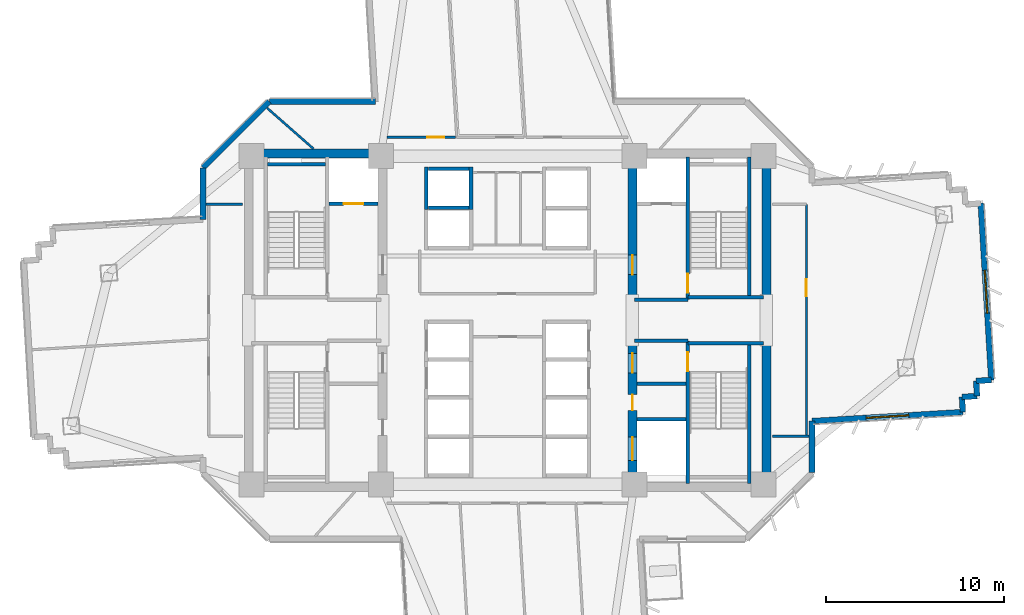
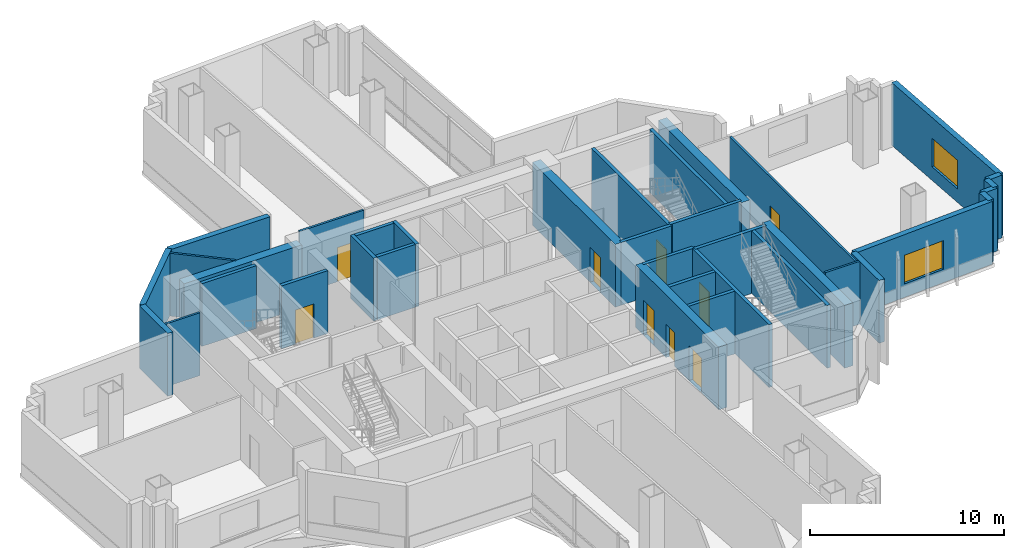
# One storey, part 8 of 15: 36 walls, 9 doors, 2 windows, 11 openings.
"""IFC4 building model written with IfcOpenShell, lengths in metres."""

import ifcopenshell
import ifcopenshell.guid

model = None  # the IFC model being written
_history = None  # IfcOwnerHistory: only IFC2X3 demands one
_inside = {}  # id of a spatial element -> (the spatial element, [elements in it])
_under = {}  # id of a project, library or spatial element -> (it, [spatial elements below it])
_declared = {}  # id of a project -> (the project, [libraries it declares])
_typed = {}  # id of a type object -> (the type object, [elements of that type])
_made_of = {}  # id of a material, layer set ... -> (it, [elements and type objects made of it])


def new_model(schema):
    """Start an empty IFC model of exactly this schema.

    Asked for "IFC4X3", IfcOpenShell would pick the latest addendum, in which some entities
    have other attributes; the version numbers below select the first issue.
    IFC2X3 requires an IfcOwnerHistory on every rooted entity: one is made here for all.
    """
    global model, _history
    if schema == "IFC4X3":
        model = ifcopenshell.file(schema_version=(4, 3, 0, 0))
    else:
        model = ifcopenshell.file(schema=schema)
    _inside.clear()
    _under.clear()
    _declared.clear()
    _typed.clear()
    _made_of.clear()
    _history = None
    if model.schema == "IFC2X3":
        org = make("IfcOrganization", Name="unknown")
        user = make(
            "IfcPersonAndOrganization",
            ThePerson=make("IfcPerson", FamilyName="unknown"),
            TheOrganization=org,
        )
        app = make(
            "IfcApplication",
            ApplicationDeveloper=org,
            Version="unknown",
            ApplicationFullName="unknown",
            ApplicationIdentifier="unknown",
        )
        _history = make(
            "IfcOwnerHistory",
            OwningUser=user,
            OwningApplication=app,
            ChangeAction="ADDED",
            CreationDate=0,
        )
    return model


def make(cls, **values):
    """One entity of the class cls with the attributes given. An attribute that is None is left unset."""
    return model.create_entity(
        cls, **{name: value for name, value in values.items() if value is not None}
    )


def rooted(cls, **values):
    """An entity with a GlobalId (a new one), such as an element, a storey or a relation."""
    return make(cls, GlobalId=ifcopenshell.guid.new(), OwnerHistory=_history, **values)


def si_unit(unit_type, name, prefix=None):
    """IfcSIUnit, for example si_unit("LENGTHUNIT", "METRE", prefix="MILLI")."""
    return make("IfcSIUnit", UnitType=unit_type, Prefix=prefix, Name=name)


def assignment(units):
    """IfcUnitAssignment: the units of a project."""
    return None if units is None else make("IfcUnitAssignment", Units=units)


def point(xyz):
    """IfcCartesianPoint."""
    return None if xyz is None else make("IfcCartesianPoint", Coordinates=xyz)


def direction(xyz):
    """IfcDirection."""
    return None if xyz is None else make("IfcDirection", DirectionRatios=xyz)


def frame(location, z_axis=None, x_axis=None):
    """IfcAxis2Placement3D, a coordinate frame: its origin and axes. An axis left out is left unset."""
    return make(
        "IfcAxis2Placement3D",
        Location=point(location),
        Axis=direction(z_axis),
        RefDirection=direction(x_axis),
    )


def frame_2d(location, x_axis=None):
    """IfcAxis2Placement2D, a coordinate frame in the plane: its origin and x axis."""
    return make(
        "IfcAxis2Placement2D", Location=point(location), RefDirection=direction(x_axis)
    )


def origin():
    """The frame at (0, 0, 0) with its axes left unset."""
    return frame((0.0, 0.0, 0.0))


def place(relative_to, where):
    """IfcLocalPlacement: puts the frame where relative to a parent placement (None: the world)."""
    return make(
        "IfcLocalPlacement", PlacementRelTo=relative_to, RelativePlacement=where
    )


def context(
    kind, dimensions, precision=None, world=None, true_north=None, identifier=None
):
    """IfcGeometricRepresentationContext, for example the 3D "Model" context."""
    return make(
        "IfcGeometricRepresentationContext",
        ContextIdentifier=identifier,
        ContextType=kind,
        CoordinateSpaceDimension=dimensions,
        Precision=precision,
        WorldCoordinateSystem=world,
        TrueNorth=true_north,
    )


def subcontext(parent, identifier, kind, view, scale=None):
    """IfcGeometricRepresentationSubContext, for example "Body" below "Model"."""
    return make(
        "IfcGeometricRepresentationSubContext",
        ContextIdentifier=identifier,
        ContextType=kind,
        ParentContext=parent,
        TargetScale=scale,
        TargetView=view,
    )


def project(units=None, contexts=None):
    """IfcProject with its units and contexts."""
    return rooted(
        "IfcProject",
        Name="project",
        RepresentationContexts=contexts,
        UnitsInContext=assignment(units),
    )


def spatial(cls, under=None, at=None, **own):
    """A site, building, storey or space (cls), placed at a placement, below another one or the project."""
    s = rooted(cls, ObjectPlacement=at, **own)
    if under is not None:
        _under.setdefault(under.id(), (under, []))[1].append(s)
    return s


def profile(cls, at=None, kind="AREA", **sizes):
    """A parametric profile (cls). Its sizes go by their IFC names, for example OverallWidth=200.0."""
    return make(cls, ProfileType=kind, Position=at, **sizes)


def rectangle(**sizes):
    """IfcRectangleProfileDef."""
    return profile("IfcRectangleProfileDef", **sizes)


def extrude(swept, where, along, depth):
    """IfcExtrudedAreaSolid: the profile swept, set in the frame where, extruded along a direction by depth."""
    return make(
        "IfcExtrudedAreaSolid",
        SweptArea=swept,
        Position=where,
        ExtrudedDirection=direction(along),
        Depth=depth,
    )


def shape(context_of_items, identifier, shape_type, items):
    """IfcShapeRepresentation: the items that make up one representation, for example the "Body"."""
    return make(
        "IfcShapeRepresentation",
        ContextOfItems=context_of_items,
        RepresentationIdentifier=identifier,
        RepresentationType=shape_type,
        Items=items,
    )


def source(mapping_origin, context_of_items, identifier, shape_type, items):
    """IfcRepresentationMap: a shape defined once, which mapped items show again and again."""
    return make(
        "IfcRepresentationMap",
        MappingOrigin=mapping_origin,
        MappedRepresentation=shape(context_of_items, identifier, shape_type, items),
    )


def transform(
    local_origin,
    x_axis=None,
    y_axis=None,
    z_axis=None,
    scale=None,
    scale2=None,
    scale3=None,
    uniform=True,
):
    """IfcCartesianTransformationOperator3D, or its non-uniform kind. x_axis, y_axis, z_axis: its Axis1, 2, 3."""
    if uniform:
        return make(
            "IfcCartesianTransformationOperator3D",
            Axis1=direction(x_axis),
            Axis2=direction(y_axis),
            LocalOrigin=point(local_origin),
            Scale=scale,
            Axis3=direction(z_axis),
        )
    return make(
        "IfcCartesianTransformationOperator3DnonUniform",
        Axis1=direction(x_axis),
        Axis2=direction(y_axis),
        LocalOrigin=point(local_origin),
        Scale=scale,
        Axis3=direction(z_axis),
        Scale2=scale2,
        Scale3=scale3,
    )


def mapped(mapping_source, mapping_target):
    """IfcMappedItem: shows the shape of a source again, moved by a transform."""
    return make(
        "IfcMappedItem", MappingSource=mapping_source, MappingTarget=mapping_target
    )


def material(Name=None, Category=None):
    """IfcMaterial."""
    return make("IfcMaterial", Name=Name, Category=Category)


def layer(
    of_material, thickness, ventilated=None, Name=None, Category=None, Priority=None
):
    """IfcMaterialLayer: one layer of a wall or slab, of a material (None: an air gap)."""
    return make(
        "IfcMaterialLayer",
        Material=of_material,
        LayerThickness=thickness,
        IsVentilated=ventilated,
        Name=Name,
        Category=Category,
        Priority=Priority,
    )


def layer_set(layers, Name=None):
    """IfcMaterialLayerSet."""
    return make("IfcMaterialLayerSet", MaterialLayers=layers, LayerSetName=Name)


def made_of(thing, what):
    """Note that an element or type object is made of a material, layer set ...; save() writes the relation."""
    if what is not None:
        _made_of.setdefault(what.id(), (what, []))[1].append(thing)
    return thing


def type_object(cls, material=None, **own):
    """A type object (cls), such as IfcWallType, which elements share."""
    return made_of(rooted(cls, **own), material)


def element(
    cls,
    number,
    at=None,
    inside=None,
    cuts=None,
    type_object=None,
    material=None,
    context=None,
    identifier="Body",
    shape_type=None,
    held_by="IfcProductDefinitionShape",
    body=None,
    shapes=None,
    **own,
):
    """One element of the class cls, such as IfcWall. Its Tag is "e" and its number.

    at: its placement. inside: the storey or other place that contains it. cuts: it is an
    opening in that element (IfcRelVoidsElement). A single representation is given by context,
    identifier, shape_type and body (its items); several are given by shapes. held_by: the class
    of the entity that holds the representations. save() writes the other relations.
    """
    e = rooted(cls, Tag="e%d" % number, ObjectPlacement=at, **own)
    if body is not None:
        shapes = [shape(context, identifier, shape_type, body)]
    if shapes is not None:
        e.Representation = make(held_by, Representations=shapes)
    if inside is not None:
        _inside.setdefault(inside.id(), (inside, []))[1].append(e)
    if cuts is not None:
        rooted(
            "IfcRelVoidsElement", RelatingBuildingElement=cuts, RelatedOpeningElement=e
        )
    if type_object is not None:
        _typed.setdefault(type_object.id(), (type_object, []))[1].append(e)
    return made_of(e, material)


def fill(opening, filler):
    """IfcRelFillsElement: the door or window that sits in an opening."""
    return rooted(
        "IfcRelFillsElement",
        RelatingOpeningElement=opening,
        RelatedBuildingElement=filler,
    )


def aggregate(whole, parts):
    """IfcRelAggregates: a whole, such as a stair, and the parts it consists of."""
    return rooted("IfcRelAggregates", RelatingObject=whole, RelatedObjects=parts)


def save(model, path):
    """Write the relations noted so far, then the file.

    IfcRelAggregates (storeys below a building ...), IfcRelContainedInSpatialStructure (elements
    in a storey), IfcRelDefinesByType, IfcRelAssociatesMaterial and IfcRelDeclares: one each for
    every whole, place, type object, material and project.
    """
    for whole, parts in _under.values():
        aggregate(whole, parts)
    for where, things in _inside.values():
        rooted(
            "IfcRelContainedInSpatialStructure",
            RelatedElements=things,
            RelatingStructure=where,
        )
    for kind, things in _typed.values():
        rooted("IfcRelDefinesByType", RelatedObjects=things, RelatingType=kind)
    for what, things in _made_of.values():
        rooted("IfcRelAssociatesMaterial", RelatedObjects=things, RelatingMaterial=what)
    for by, libraries in _declared.values():
        rooted("IfcRelDeclares", RelatingContext=by, RelatedDefinitions=libraries)
    model.write(path)


model = new_model("IFC4")

# Units and contexts
model_context = context("Model", 3, precision=1e-05, world=origin(), true_north=direction((0.0, 1.0)))
body_context = subcontext(model_context, "Body", "Model", "MODEL_VIEW")
ifc_project = project(units=[si_unit("LENGTHUNIT", "METRE"), si_unit("AREAUNIT", "SQUARE_METRE"), si_unit("VOLUMEUNIT", "CUBIC_METRE"), si_unit("PLANEANGLEUNIT", "RADIAN"), si_unit("MASSUNIT", "GRAM", prefix="KILO")], contexts=[model_context])

# Site, building, storey
site_placement = place(None, origin())
site = spatial("IfcSite", under=ifc_project, at=site_placement, CompositionType="ELEMENT")
building_placement = place(site_placement, origin())
building = spatial("IfcBuilding", under=site, at=building_placement, Name="Zahravan Cultural Tower", CompositionType="ELEMENT")
storey_placement = place(building_placement, frame((0.0, 0.0, 75.300048828125)))
storey = spatial("IfcBuildingStorey", under=building, at=storey_placement, Name="L16", CompositionType="ELEMENT", Elevation=75.300048828125)

# Wall, openings, doors
ifc_material_1 = material(Name="Concrete C60/75", Category="concrete")
ifc_layer_1 = layer(ifc_material_1, 0.5)
ifc_layer_set_1 = layer_set([ifc_layer_1], Name="Concrete C60/75")
wall_type_1 = type_object("IfcWallType", Name="CW-SHEAR-500-C60", PredefinedType="SHEAR", material=ifc_layer_set_1)
wall_1_placement = place(storey_placement, frame((43.0, 17.39990234375, 0.0), z_axis=(0.0, 0.0, 1.0), x_axis=(0.0, 1.0, 0.0)))
wall_1 = element("IfcWall", 1, at=wall_1_placement, inside=storey, type_object=wall_type_1, Name="L16 Core Shear Wall CW-E-WS-L16", PredefinedType="SHEAR", context=body_context, shape_type="SweptSolid", body=[
    extrude(rectangle(XDim=8.550048828125, YDim=0.5, at=frame_2d((4.27490234375, 0.0))), origin(), (0.0, 0.0, 1.0), 3.949951171875),
])
opening_1_placement = place(wall_1_placement, frame((6.64990234375, 0.0, 0.0)))
opening_1 = element("IfcOpeningElement", 2, at=opening_1_placement, cuts=wall_1, Name="Opening D-L16-08", PredefinedType="OPENING", context=body_context, shape_type="SweptSolid", body=[
    extrude(rectangle(XDim=1.10009765625, YDim=2.199951171875, at=frame_2d((0.550048828125, 1.10009765625))), frame((0.0, 0.260009765625, 0.0), z_axis=(0.0, -1.0, 0.0), x_axis=(1.0, 0.0, 0.0)), (0.0, 0.0, 1.0), 0.52001953125),
])
opening_2_placement = place(wall_1_placement, frame((1.75, 0.0, 0.0)))
opening_2 = element("IfcOpeningElement", 3, at=opening_2_placement, cuts=wall_1, Name="Opening LD-L16-03", PredefinedType="OPENING", context=body_context, shape_type="SweptSolid", body=[
    extrude(rectangle(XDim=1.300048828125, YDim=2.199951171875, at=frame_2d((0.64990234375, 1.10009765625))), frame((0.0, 0.260009765625, 0.0), z_axis=(0.0, -1.0, 0.0), x_axis=(1.0, 0.0, 0.0)), (0.0, 0.0, 1.0), 0.52001953125),
])
opening_3_placement = place(wall_1_placement, frame((4.550048828125, 0.0, 0.0)))
opening_3 = element("IfcOpeningElement", 4, at=opening_3_placement, cuts=wall_1, Name="Opening D-L16-10", PredefinedType="OPENING", context=body_context, shape_type="SweptSolid", body=[
    extrude(rectangle(XDim=0.8798828125, YDim=2.10009765625, at=frame_2d((0.43994140625, 1.050048828125))), frame((0.0, 0.260009765625, 0.0), z_axis=(0.0, -1.0, 0.0), x_axis=(1.0, 0.0, 0.0)), (0.0, 0.0, 1.0), 0.52001953125),
])
ifc_material_2 = material(Name="Steel ASTM A572 Grade 50", Category="steel")
door_type_1 = type_object("IfcDoorType", Name="DR-LOBBY-1100", OperationType="NOTDEFINED", PredefinedType="DOOR", material=ifc_material_2)
shared_shape_1 = source(origin(), body_context, "Body", "SweptSolid", [
    extrude(rectangle(XDim=1.10009765625, YDim=2.199951171875, at=frame_2d((0.550048828125, 1.10009765625))), frame((0.0, 0.02490234375, 0.0), z_axis=(0.0, -1.0, 0.0), x_axis=(1.0, 0.0, 0.0)), (0.0, 0.0, 1.0), 0.050048828125),
])
door_1_placement = place(opening_1_placement, origin())
door_1 = element("IfcDoor", 5, at=door_1_placement, inside=storey, type_object=door_type_1, Name="L16 Door D-L16-08", OperationType="SINGLE_SWING_LEFT", OverallHeight=2.199951171875, OverallWidth=1.10009765625, PredefinedType="DOOR", context=body_context, shape_type="MappedRepresentation", body=[
    mapped(shared_shape_1, transform((0.0, 0.0, 0.0), x_axis=(1.0, 0.0, 0.0), y_axis=(0.0, 1.0, 0.0), z_axis=(0.0, 0.0, 1.0), scale=1.0)),
])
fill(opening_1, door_1)
door_type_2 = type_object("IfcDoorType", Name="DR-LIFT-1300", OperationType="DOUBLE_DOOR_SLIDING", PredefinedType="DOOR", material=ifc_material_2)
shared_shape_2 = source(origin(), body_context, "Body", "SweptSolid", [
    extrude(rectangle(XDim=1.300048828125, YDim=2.199951171875, at=frame_2d((0.64990234375, 1.10009765625))), frame((0.0, 0.02490234375, 0.0), z_axis=(0.0, -1.0, 0.0), x_axis=(1.0, 0.0, 0.0)), (0.0, 0.0, 1.0), 0.050048828125),
])
door_2_placement = place(opening_2_placement, origin())
door_2 = element("IfcDoor", 6, at=door_2_placement, inside=storey, type_object=door_type_2, Name="L16 Door LD-L16-03", OperationType="DOUBLE_DOOR_SLIDING", OverallHeight=2.199951171875, OverallWidth=1.300048828125, PredefinedType="DOOR", context=body_context, shape_type="MappedRepresentation", body=[
    mapped(shared_shape_2, transform((0.0, 0.0, 0.0), x_axis=(1.0, 0.0, 0.0), y_axis=(0.0, 1.0, 0.0), z_axis=(0.0, 0.0, 1.0), scale=1.0)),
])
fill(opening_2, door_2)
door_type_3 = type_object("IfcDoorType", Name="DR-SVC-880", OperationType="NOTDEFINED", PredefinedType="DOOR", material=ifc_material_2)
shared_shape_3 = source(origin(), body_context, "Body", "SweptSolid", [
    extrude(rectangle(XDim=0.8798828125, YDim=2.10009765625, at=frame_2d((0.43994140625, 1.050048828125))), frame((0.0, 0.02490234375, 0.0), z_axis=(0.0, -1.0, 0.0), x_axis=(1.0, 0.0, 0.0)), (0.0, 0.0, 1.0), 0.050048828125),
])
door_3_placement = place(opening_3_placement, origin())
door_3 = element("IfcDoor", 7, at=door_3_placement, inside=storey, type_object=door_type_3, Name="L16 Door D-L16-10", OperationType="SINGLE_SWING_LEFT", OverallHeight=2.10009765625, OverallWidth=0.8798828125, PredefinedType="DOOR", context=body_context, shape_type="MappedRepresentation", body=[
    mapped(shared_shape_3, transform((0.0, 0.0, 0.0), x_axis=(1.0, 0.0, 0.0), y_axis=(0.0, 1.0, 0.0), z_axis=(0.0, 0.0, 1.0), scale=1.0)),
])
fill(opening_3, door_3)

# Wall, opening, door
wall_2_placement = place(storey_placement, frame((43.0, 28.050048828125, 0.0), z_axis=(0.0, 0.0, 1.0), x_axis=(0.0, 1.0, 0.0)))
wall_2 = element("IfcWall", 8, at=wall_2_placement, inside=storey, type_object=wall_type_1, Name="L16 Core Shear Wall CW-E-WN-L16", PredefinedType="SHEAR", context=body_context, shape_type="SweptSolid", body=[
    extrude(rectangle(XDim=8.550048828125, YDim=0.5, at=frame_2d((4.27490234375, 0.0))), origin(), (0.0, 0.0, 1.0), 3.949951171875),
])
opening_4_placement = place(wall_2_placement, frame((1.5, 0.0, 0.0)))
opening_4 = element("IfcOpeningElement", 9, at=opening_4_placement, cuts=wall_2, Name="Opening D-L16-06", PredefinedType="OPENING", context=body_context, shape_type="SweptSolid", body=[
    extrude(rectangle(XDim=1.10009765625, YDim=2.199951171875, at=frame_2d((0.550048828125, 1.10009765625))), frame((0.0, 0.260009765625, 0.0), z_axis=(0.0, -1.0, 0.0), x_axis=(1.0, 0.0, 0.0)), (0.0, 0.0, 1.0), 0.52001953125),
])
door_4_placement = place(opening_4_placement, origin())
door_4 = element("IfcDoor", 10, at=door_4_placement, inside=storey, type_object=door_type_1, Name="L16 Door D-L16-06", OperationType="SINGLE_SWING_LEFT", OverallHeight=2.199951171875, OverallWidth=1.10009765625, PredefinedType="DOOR", context=body_context, shape_type="MappedRepresentation", body=[
    mapped(shared_shape_1, transform((0.0, 0.0, 0.0), x_axis=(1.0, 0.0, 0.0), y_axis=(0.0, 1.0, 0.0), z_axis=(0.0, 0.0, 1.0), scale=1.0)),
])
fill(opening_4, door_4)

# Wall, opening, window
ifc_material_3 = material(Name="Precast concrete C40/50", Category="concrete")
ifc_layer_2 = layer(ifc_material_3, 0.320068359375)
ifc_layer_set_2 = layer_set([ifc_layer_2], Name="Precast concrete C40/50")
wall_type_2 = type_object("IfcWallType", Name="EW-TC-320", PredefinedType="SOLIDWALL", material=ifc_layer_set_2)
wall_3_placement = place(storey_placement, frame((62.516357421875, 33.553466796875, 0.0), z_axis=(0.0, 0.0, 1.0), x_axis=(0.059656871726, -0.998218942745, 0.0)))
wall_3 = element("IfcWall", 11, at=wall_3_placement, inside=storey, type_object=wall_type_2, Name="L16 Exterior Masonry Frame Wall 06", PredefinedType="SOLIDWALL", context=body_context, shape_type="SweptSolid", body=[
    extrude(rectangle(XDim=9.919921875, YDim=0.320068359375, at=frame_2d((4.9599609375, 0.0))), origin(), (0.0, 0.0, 1.0), 3.949951171875),
])
opening_5_placement = place(wall_3_placement, frame((3.760009765625, 0.0, 0.85009765625)))
opening_5 = element("IfcOpeningElement", 12, at=opening_5_placement, cuts=wall_3, Name="Opening WN-01", PredefinedType="OPENING", context=body_context, shape_type="SweptSolid", body=[
    extrude(rectangle(XDim=2.39990234375, YDim=1.800048828125, at=frame_2d((1.199951171875, 0.89990234375))), frame((0.0, 0.169921875, 0.0), z_axis=(0.0, -1.0, 0.0), x_axis=(1.0, 0.0, 0.0)), (0.0, 0.0, 1.0), 0.340087890625),
])
ifc_material_4 = material(Name="Low-E solar-control double glazing", Category="glass")
window_type = type_object("IfcWindowType", Name="WN-REC-2400X1800", PartitioningType="DOUBLE_PANEL_VERTICAL", PredefinedType="WINDOW", material=ifc_material_4)
shared_shape_4 = source(origin(), body_context, "Body", "SweptSolid", [
    extrude(rectangle(XDim=2.39990234375, YDim=1.800048828125, at=frame_2d((1.199951171875, 0.89990234375))), frame((0.0, 0.030029296875, 0.0), z_axis=(0.0, -1.0, 0.0), x_axis=(1.0, 0.0, 0.0)), (0.0, 0.0, 1.0), 0.06005859375),
])
window_1_placement = place(opening_5_placement, origin())
window_1 = element("IfcWindow", 13, at=window_1_placement, inside=storey, type_object=window_type, Name="L16 Recessed Solar Window 02", OverallHeight=1.800048828125, OverallWidth=2.39990234375, PartitioningType="DOUBLE_PANEL_VERTICAL", PredefinedType="WINDOW", context=body_context, shape_type="MappedRepresentation", body=[
    mapped(shared_shape_4, transform((0.0, 0.0, 0.0), x_axis=(1.0, 0.0, 0.0), y_axis=(0.0, 1.0, 0.0), z_axis=(0.0, 0.0, 1.0), scale=1.0)),
])
fill(opening_5, window_1)

wall_4_placement = place(storey_placement, frame((61.512451171875, 21.852783203125, 0.0), z_axis=(0.0, 0.0, 1.0), x_axis=(-0.998219055518, -0.059654984716, 0.0)))
wall_4 = element("IfcWall", 14, at=wall_4_placement, inside=storey, type_object=wall_type_2, Name="L16 Exterior Masonry Frame Wall 11", PredefinedType="SOLIDWALL", context=body_context, shape_type="SweptSolid", body=[
    extrude(rectangle(XDim=8.467529296875, YDim=0.320068359375, at=frame_2d((4.23388671875, 0.0))), origin(), (0.0, 0.0, 1.0), 3.949951171875),
])
opening_6_placement = place(wall_4_placement, frame((3.033935546875, 0.0, 0.85009765625)))
opening_6 = element("IfcOpeningElement", 15, at=opening_6_placement, cuts=wall_4, Name="Opening WN-01", PredefinedType="OPENING", context=body_context, shape_type="SweptSolid", body=[
    extrude(rectangle(XDim=2.39990234375, YDim=1.800048828125, at=frame_2d((1.199951171875, 0.89990234375))), frame((0.0, 0.169921875, 0.0), z_axis=(0.0, -1.0, 0.0), x_axis=(1.0, 0.0, 0.0)), (0.0, 0.0, 1.0), 0.340087890625),
])
window_2_placement = place(opening_6_placement, origin())
window_2 = element("IfcWindow", 16, at=window_2_placement, inside=storey, type_object=window_type, Name="L16 Recessed Solar Window 03", OverallHeight=1.800048828125, OverallWidth=2.39990234375, PartitioningType="DOUBLE_PANEL_VERTICAL", PredefinedType="WINDOW", context=body_context, shape_type="MappedRepresentation", body=[
    mapped(shared_shape_4, transform((0.0, 0.0, 0.0), x_axis=(1.0, 0.0, 0.0), y_axis=(0.0, 1.0, 0.0), z_axis=(0.0, 0.0, 1.0), scale=1.0)),
])
fill(opening_6, window_2)

# Wall, opening, door
ifc_material_5 = material(Name="Gypsum plasterboard partition")
ifc_layer_3 = layer(ifc_material_5, 0.125)
ifc_layer_set_3 = layer_set([ifc_layer_3], Name="Gypsum plasterboard partition")
wall_type_3 = type_object("IfcWallType", Name="W-PART-125", PredefinedType="PARTITIONING", material=ifc_layer_set_3)
wall_5_placement = place(storey_placement, frame((33.085205078125, 37.260009765625, 0.0), z_axis=(0.0, 0.0, 1.0), x_axis=(-0.999999997966, -6.3783646e-05, 0.0)))
wall_5 = element("IfcWall", 17, at=wall_5_placement, inside=storey, type_object=wall_type_3, Name="L16 Interior Wall 092", PredefinedType="PARTITIONING", context=body_context, shape_type="SweptSolid", body=[
    extrude(rectangle(XDim=3.82763671875, YDim=0.125, at=frame_2d((1.913818359375, 0.0))), origin(), (0.0, 0.0, 1.0), 3.949951171875),
])
opening_7_placement = place(wall_5_placement, frame((0.633056640625, 0.0, 0.0)))
opening_7 = element("IfcOpeningElement", 18, at=opening_7_placement, cuts=wall_5, Name="Opening D-L16-19", PredefinedType="OPENING", context=body_context, shape_type="SweptSolid", body=[
    extrude(rectangle(XDim=0.949951171875, YDim=2.14990234375, at=frame_2d((0.47509765625, 1.074951171875))), frame((0.0, 0.072509765625, 0.0), z_axis=(0.0, -1.0, 0.0), x_axis=(1.0, 0.0, 0.0)), (0.0, 0.0, 1.0), 0.14501953125),
])
ifc_material_6 = material(Name="Anodised bronze-aluminium mullion", Category="aluminium")
door_type_4 = type_object("IfcDoorType", Name="DR-ROOM-950", OperationType="NOTDEFINED", PredefinedType="DOOR", material=ifc_material_6)
shared_shape_5 = source(origin(), body_context, "Body", "SweptSolid", [
    extrude(rectangle(XDim=0.949951171875, YDim=2.14990234375, at=frame_2d((0.47509765625, 1.074951171875))), frame((0.0, 0.02490234375, 0.0), z_axis=(0.0, -1.0, 0.0), x_axis=(1.0, 0.0, 0.0)), (0.0, 0.0, 1.0), 0.050048828125),
])
door_5_placement = place(opening_7_placement, origin())
door_5 = element("IfcDoor", 19, at=door_5_placement, inside=storey, type_object=door_type_4, Name="L16 Door D-L16-19", OperationType="SINGLE_SWING_RIGHT", OverallHeight=2.14990234375, OverallWidth=0.949951171875, PredefinedType="DOOR", context=body_context, shape_type="MappedRepresentation", body=[
    mapped(shared_shape_5, transform((0.0, 0.0, 0.0), x_axis=(1.0, 0.0, 0.0), y_axis=(0.0, 1.0, 0.0), z_axis=(0.0, 0.0, 1.0), scale=1.0)),
])
fill(opening_7, door_5)

wall_6_placement = place(storey_placement, frame((52.748779296875, 20.56982421875, 0.0), z_axis=(0.0, 0.0, 1.0), x_axis=(-0.000113312307, 0.99999999358, 0.0)))
wall_6 = element("IfcWall", 20, at=wall_6_placement, inside=storey, type_object=wall_type_3, Name="L16 Interior Wall 103", PredefinedType="PARTITIONING", context=body_context, shape_type="SweptSolid", body=[
    extrude(rectangle(XDim=12.927490234375, YDim=0.125, at=frame_2d((6.4638671875, 0.0))), origin(), (0.0, 0.0, 1.0), 3.949951171875),
])
opening_8_placement = place(wall_6_placement, frame((7.785400390625, 0.0, 0.0)))
opening_8 = element("IfcOpeningElement", 21, at=opening_8_placement, cuts=wall_6, Name="Opening D-L16-16", PredefinedType="OPENING", context=body_context, shape_type="SweptSolid", body=[
    extrude(rectangle(XDim=0.949951171875, YDim=2.14990234375, at=frame_2d((0.47509765625, 1.074951171875))), frame((0.0, 0.072509765625, 0.0), z_axis=(0.0, -1.0, 0.0), x_axis=(1.0, 0.0, 0.0)), (0.0, 0.0, 1.0), 0.14501953125),
])
door_6_placement = place(opening_8_placement, origin())
door_6 = element("IfcDoor", 22, at=door_6_placement, inside=storey, type_object=door_type_4, Name="L16 Door D-L16-16", OperationType="SINGLE_SWING_LEFT", OverallHeight=2.14990234375, OverallWidth=0.949951171875, PredefinedType="DOOR", context=body_context, shape_type="MappedRepresentation", body=[
    mapped(shared_shape_5, transform((0.0, 0.0, 0.0), x_axis=(1.0, 0.0, 0.0), y_axis=(0.0, 1.0, 0.0), z_axis=(0.0, 0.0, 1.0), scale=1.0)),
])
fill(opening_8, door_6)

ifc_material_7 = material(Name="Concrete C45/55", Category="concrete")
ifc_layer_4 = layer(ifc_material_7, 0.199951171875)
ifc_layer_set_4 = layer_set([ifc_layer_4], Name="Concrete C45/55")
wall_type_4 = type_object("IfcWallType", Name="W-SHAFT-200", PredefinedType="SOLIDWALL", material=ifc_layer_set_4)
wall_7_placement = place(storey_placement, frame((46.10009765625, 17.85009765625, 0.0), z_axis=(0.0, 0.0, 1.0), x_axis=(0.0, 1.0, 0.0)))
wall_7 = element("IfcWall", 23, at=wall_7_placement, inside=storey, type_object=wall_type_4, Name="L16 Interior Wall 007", PredefinedType="SOLIDWALL", context=body_context, shape_type="SweptSolid", body=[
    extrude(rectangle(XDim=8.0, YDim=0.199951171875, at=frame_2d((4.0, 0.0))), origin(), (0.0, 0.0, 1.0), 3.949951171875),
])
opening_9_placement = place(wall_7_placement, frame((6.300048828125, 0.0, 0.0)))
opening_9 = element("IfcOpeningElement", 24, at=opening_9_placement, cuts=wall_7, Name="Opening D-L16-03", PredefinedType="OPENING", context=body_context, shape_type="SweptSolid", body=[
    extrude(rectangle(XDim=1.050048828125, YDim=2.14990234375, at=frame_2d((0.52490234375, 1.074951171875))), frame((0.0, 0.10986328125, 0.0), z_axis=(0.0, -1.0, 0.0), x_axis=(1.0, 0.0, 0.0)), (0.0, 0.0, 1.0), 0.219970703125),
])
door_type_5 = type_object("IfcDoorType", Name="DR-STAIR-1050", OperationType="NOTDEFINED", PredefinedType="DOOR", material=ifc_material_2)
shared_shape_6 = source(origin(), body_context, "Body", "SweptSolid", [
    extrude(rectangle(XDim=1.050048828125, YDim=2.14990234375, at=frame_2d((0.52490234375, 1.074951171875))), frame((0.0, 0.02490234375, 0.0), z_axis=(0.0, -1.0, 0.0), x_axis=(1.0, 0.0, 0.0)), (0.0, 0.0, 1.0), 0.050048828125),
])
door_7_placement = place(opening_9_placement, origin())
door_7 = element("IfcDoor", 25, at=door_7_placement, inside=storey, type_object=door_type_5, Name="L16 Door D-L16-03", OperationType="SINGLE_SWING_RIGHT", OverallHeight=2.14990234375, OverallWidth=1.050048828125, PredefinedType="DOOR", context=body_context, shape_type="MappedRepresentation", body=[
    mapped(shared_shape_6, transform((0.0, 0.0, 0.0), x_axis=(1.0, 0.0, 0.0), y_axis=(0.0, 1.0, 0.0), z_axis=(0.0, 0.0, 1.0), scale=1.0)),
])
fill(opening_9, door_7)

wall_8_placement = place(storey_placement, frame((46.10009765625, 28.14990234375, 0.0), z_axis=(0.0, 0.0, 1.0), x_axis=(0.0, 1.0, 0.0)))
wall_8 = element("IfcWall", 26, at=wall_8_placement, inside=storey, type_object=wall_type_4, Name="L16 Interior Wall 008", PredefinedType="SOLIDWALL", context=body_context, shape_type="SweptSolid", body=[
    extrude(rectangle(XDim=8.0, YDim=0.199951171875, at=frame_2d((4.0, 0.0))), origin(), (0.0, 0.0, 1.0), 3.949951171875),
])
opening_10_placement = place(wall_8_placement, frame((0.39990234375, 0.0, 0.0)))
opening_10 = element("IfcOpeningElement", 27, at=opening_10_placement, cuts=wall_8, Name="Opening D-L16-02", PredefinedType="OPENING", context=body_context, shape_type="SweptSolid", body=[
    extrude(rectangle(XDim=1.050048828125, YDim=2.14990234375, at=frame_2d((0.52490234375, 1.074951171875))), frame((0.0, 0.10986328125, 0.0), z_axis=(0.0, -1.0, 0.0), x_axis=(1.0, 0.0, 0.0)), (0.0, 0.0, 1.0), 0.219970703125),
])
door_8_placement = place(opening_10_placement, origin())
door_8 = element("IfcDoor", 28, at=door_8_placement, inside=storey, type_object=door_type_5, Name="L16 Door D-L16-02", OperationType="SINGLE_SWING_LEFT", OverallHeight=2.14990234375, OverallWidth=1.050048828125, PredefinedType="DOOR", context=body_context, shape_type="MappedRepresentation", body=[
    mapped(shared_shape_6, transform((0.0, 0.0, 0.0), x_axis=(1.0, 0.0, 0.0), y_axis=(0.0, 1.0, 0.0), z_axis=(0.0, 0.0, 1.0), scale=1.0)),
])
fill(opening_10, door_8)

wall_9_placement = place(storey_placement, frame((26.0, 33.52001953125, 0.0), z_axis=(0.0, 0.0, 1.0), x_axis=(1.0, 0.0, 0.0)))
wall_9 = element("IfcWall", 29, at=wall_9_placement, inside=storey, type_object=wall_type_4, Name="L16 Interior Wall 021", PredefinedType="SOLIDWALL", context=body_context, shape_type="SweptSolid", body=[
    extrude(rectangle(XDim=2.75, YDim=0.199951171875, at=frame_2d((1.375, 0.0))), origin(), (0.0, 0.0, 1.0), 3.949951171875),
])
opening_11_placement = place(wall_9_placement, frame((0.820068359375, 0.0, 0.0)))
opening_11 = element("IfcOpeningElement", 30, at=opening_11_placement, cuts=wall_9, Name="Opening LD-L16-01", PredefinedType="OPENING", context=body_context, shape_type="SweptSolid", body=[
    extrude(rectangle(XDim=1.10009765625, YDim=2.14990234375, at=frame_2d((0.550048828125, 1.074951171875))), frame((0.0, 0.10986328125, 0.0), z_axis=(0.0, -1.0, 0.0), x_axis=(1.0, 0.0, 0.0)), (0.0, 0.0, 1.0), 0.219970703125),
])
door_type_6 = type_object("IfcDoorType", Name="DR-LIFT-1100", OperationType="DOUBLE_DOOR_SLIDING", PredefinedType="DOOR", material=ifc_material_2)
shared_shape_7 = source(origin(), body_context, "Body", "SweptSolid", [
    extrude(rectangle(XDim=1.10009765625, YDim=2.14990234375, at=frame_2d((0.550048828125, 1.074951171875))), frame((0.0, 0.02490234375, 0.0), z_axis=(0.0, -1.0, 0.0), x_axis=(1.0, 0.0, 0.0)), (0.0, 0.0, 1.0), 0.050048828125),
])
door_9_placement = place(opening_11_placement, origin())
door_9 = element("IfcDoor", 31, at=door_9_placement, inside=storey, type_object=door_type_6, Name="L16 Door LD-L16-01", OperationType="DOUBLE_DOOR_SLIDING", OverallHeight=2.14990234375, OverallWidth=1.10009765625, PredefinedType="DOOR", context=body_context, shape_type="MappedRepresentation", body=[
    mapped(shared_shape_7, transform((0.0, 0.0, 0.0), x_axis=(1.0, 0.0, 0.0), y_axis=(0.0, 1.0, 0.0), z_axis=(0.0, 0.0, 1.0), scale=1.0)),
])
fill(opening_11, door_9)

# Walls
shared_shape_8 = source(origin(), body_context, "Body", "SweptSolid", [
    extrude(rectangle(XDim=8.550048828125, YDim=0.5, at=frame_2d((4.27490234375, 0.0))), origin(), (0.0, 0.0, 1.0), 3.949951171875),
])
for number, where, z_axis, x_axis, name in (
    (32, (50.5, 17.39990234375, 0.0), (0.0, 0.0, 1.0), (0.0, 1.0, 0.0), "L16 Core Shear Wall CW-E-ES-L16"),
    (33, (50.5, 28.050048828125, 0.0), (0.0, 0.0, 1.0), (0.0, 1.0, 0.0), "L16 Core Shear Wall CW-E-EN-L16"),
):
    element("IfcWall", number, at=place(storey_placement, frame(where, z_axis=z_axis, x_axis=x_axis)), inside=storey, type_object=wall_type_1, Name=name, PredefinedType="SHEAR", context=body_context, shape_type="MappedRepresentation", body=[
        mapped(shared_shape_8, transform((0.0, 0.0, 0.0), x_axis=(1.0, 0.0, 0.0), y_axis=(0.0, 1.0, 0.0), z_axis=(0.0, 0.0, 1.0), scale=1.0)),
    ])
shared_shape_9 = source(origin(), body_context, "Body", "SweptSolid", [
    extrude(rectangle(XDim=7.0, YDim=0.5, at=frame_2d((3.5, 0.0))), origin(), (0.0, 0.0, 1.0), 3.949951171875),
])
wall_10_placement = place(storey_placement, frame((21.75, 36.35009765625, 0.0), z_axis=(0.0, 0.0, 1.0), x_axis=(1.0, 0.0, 0.0)))
element("IfcWall", 34, at=wall_10_placement, inside=storey, type_object=wall_type_1, Name="L16 Core Shear Wall CW-W-N-L16", PredefinedType="SHEAR", context=body_context, shape_type="MappedRepresentation", body=[
    mapped(shared_shape_9, transform((0.0, 0.0, 0.0), x_axis=(1.0, 0.0, 0.0), y_axis=(0.0, 1.0, 0.0), z_axis=(0.0, 0.0, 1.0), scale=1.0)),
])
shared_shape_10 = source(origin(), body_context, "Body", "SweptSolid", [
    extrude(rectangle(XDim=0.849853515625, YDim=0.320068359375, at=frame_2d((0.4248046875, 0.0))), origin(), (0.0, 0.0, 1.0), 3.949951171875),
])
wall_11_placement = place(storey_placement, frame((62.310302734375, 22.751953125, 0.0), z_axis=(0.0, 0.0, 1.0), x_axis=(-0.998230513845, -0.059462939961, 0.0)))
element("IfcWall", 35, at=wall_11_placement, inside=storey, type_object=wall_type_2, Name="L16 Exterior Masonry Frame Wall 09", PredefinedType="SOLIDWALL", context=body_context, shape_type="MappedRepresentation", body=[
    mapped(shared_shape_10, transform((0.0, 0.0, 0.0), x_axis=(1.0, 0.0, 0.0), y_axis=(0.0, 1.0, 0.0), z_axis=(0.0, 0.0, 1.0), scale=1.0)),
])
shared_shape_11 = source(origin(), body_context, "Body", "SweptSolid", [
    extrude(rectangle(XDim=0.85009765625, YDim=0.320068359375, at=frame_2d((0.425048828125, 0.0))), origin(), (0.0, 0.0, 1.0), 3.949951171875),
])
for number, where, z_axis, x_axis, name in (
    (36, (63.108154296875, 23.651123046875, 0.0), (0.0, 0.0, 1.0), (-0.998231529116, -0.059445893707, 0.0), "L16 Exterior Masonry Frame Wall 07"),
    (37, (62.259521484375, 23.6005859375, 0.0), (0.0, 0.0, 1.0), (0.059732049764, -0.998214447016, 0.0), "L16 Exterior Masonry Frame Wall 08"),
    (38, (61.4619140625, 22.701416015625, 0.0), (0.0, 0.0, 1.0), (0.059445893707, -0.998231529116, 0.0), "L16 Exterior Masonry Frame Wall 10"),
):
    element("IfcWall", number, at=place(storey_placement, frame(where, z_axis=z_axis, x_axis=x_axis)), inside=storey, type_object=wall_type_2, Name=name, PredefinedType="SOLIDWALL", context=body_context, shape_type="MappedRepresentation", body=[
        mapped(shared_shape_11, transform((0.0, 0.0, 0.0), x_axis=(1.0, 0.0, 0.0), y_axis=(0.0, 1.0, 0.0), z_axis=(0.0, 0.0, 1.0), scale=1.0)),
    ])
shared_shape_12 = source(origin(), body_context, "Body", "SweptSolid", [
    extrude(rectangle(XDim=5.258056640625, YDim=0.320068359375, at=frame_2d((2.62890625, 0.0))), origin(), (0.0, 0.0, 1.0), 3.949951171875),
])
wall_12_placement = place(storey_placement, frame((18.93994140625, 35.5419921875, 0.0), z_axis=(0.0, 0.0, 1.0), x_axis=(0.707106781187, 0.707106781187, 0.0)))
element("IfcWall", 39, at=wall_12_placement, inside=storey, type_object=wall_type_2, Name="L16 Exterior Masonry Frame Wall 40", PredefinedType="SOLIDWALL", context=body_context, shape_type="MappedRepresentation", body=[
    mapped(shared_shape_12, transform((0.0, 0.0, 0.0), x_axis=(1.0, 0.0, 0.0), y_axis=(0.0, 1.0, 0.0), z_axis=(0.0, 0.0, 1.0), scale=1.0)),
])
shared_shape_13 = source(origin(), body_context, "Body", "SweptSolid", [
    extrude(rectangle(XDim=2.8896484375, YDim=0.320068359375, at=frame_2d((1.44482421875, 0.0))), origin(), (0.0, 0.0, 1.0), 3.949951171875),
])
for number, where, z_axis, x_axis, name in (
    (40, (53.06005859375, 21.34765625, 0.0), (0.0, 0.0, 1.0), (0.0, -1.0, 0.0), "L16 Exterior Masonry Frame Wall 12"),
    (41, (18.93994140625, 32.65234375, 0.0), (0.0, 0.0, 1.0), (0.0, 1.0, 0.0), "L16 Exterior Masonry Frame Wall 39"),
):
    element("IfcWall", number, at=place(storey_placement, frame(where, z_axis=z_axis, x_axis=x_axis)), inside=storey, type_object=wall_type_2, Name=name, PredefinedType="SOLIDWALL", context=body_context, shape_type="MappedRepresentation", body=[
        mapped(shared_shape_13, transform((0.0, 0.0, 0.0), x_axis=(1.0, 0.0, 0.0), y_axis=(0.0, 1.0, 0.0), z_axis=(0.0, 0.0, 1.0), scale=1.0)),
    ])
shared_shape_14 = source(origin(), body_context, "Body", "SweptSolid", [
    extrude(rectangle(XDim=5.9375, YDim=0.320068359375, at=frame_2d((2.96875, 0.0))), origin(), (0.0, 0.0, 1.0), 3.949951171875),
])
wall_13_placement = place(storey_placement, frame((22.657958984375, 39.260009765625, 0.0), z_axis=(0.0, 0.0, 1.0), x_axis=(1.0, 0.0, 0.0)))
element("IfcWall", 42, at=wall_13_placement, inside=storey, type_object=wall_type_2, Name="L16 Exterior Masonry Frame Wall 41", PredefinedType="SOLIDWALL", context=body_context, shape_type="MappedRepresentation", body=[
    mapped(shared_shape_14, transform((0.0, 0.0, 0.0), x_axis=(1.0, 0.0, 0.0), y_axis=(0.0, 1.0, 0.0), z_axis=(0.0, 0.0, 1.0), scale=1.0)),
])
shared_shape_15 = source(origin(), body_context, "Body", "SweptSolid", [
    extrude(rectangle(XDim=7.869873046875, YDim=0.199951171875, at=frame_2d((3.93505859375, 0.0))), origin(), (0.0, 0.0, 1.0), 3.949951171875),
])
for number, where, z_axis, x_axis, name in (
    (43, (49.550048828125, 17.85009765625, 0.0), (0.0, 0.0, 1.0), (0.0, 1.0, 0.0), "L16 Interior Wall 003"),
    (44, (49.550048828125, 28.280029296875, 0.0), (0.0, 0.0, 1.0), (0.0, 1.0, 0.0), "L16 Interior Wall 004"),
):
    element("IfcWall", number, at=place(storey_placement, frame(where, z_axis=z_axis, x_axis=x_axis)), inside=storey, type_object=wall_type_4, Name=name, PredefinedType="SOLIDWALL", context=body_context, shape_type="MappedRepresentation", body=[
        mapped(shared_shape_15, transform((0.0, 0.0, 0.0), x_axis=(1.0, 0.0, 0.0), y_axis=(0.0, 1.0, 0.0), z_axis=(0.0, 0.0, 1.0), scale=1.0)),
    ])
shared_shape_16 = source(origin(), body_context, "Body", "SweptSolid", [
    extrude(rectangle(XDim=4.25, YDim=0.199951171875, at=frame_2d((2.125, 0.0))), origin(), (0.0, 0.0, 1.0), 3.949951171875),
])
for number, where, z_axis, x_axis, name in (
    (45, (46.10009765625, 25.715087890625, 0.0), (0.0, 0.0, 1.0), (1.0, 0.0, 0.0), "L16 Interior Wall 014"),
    (46, (46.10009765625, 28.284912109375, 0.0), (0.0, 0.0, 1.0), (1.0, 0.0, 0.0), "L16 Interior Wall 016"),
):
    element("IfcWall", number, at=place(storey_placement, frame(where, z_axis=z_axis, x_axis=x_axis)), inside=storey, type_object=wall_type_4, Name=name, PredefinedType="SOLIDWALL", context=body_context, shape_type="MappedRepresentation", body=[
        mapped(shared_shape_16, transform((0.0, 0.0, 0.0), x_axis=(1.0, 0.0, 0.0), y_axis=(0.0, 1.0, 0.0), z_axis=(0.0, 0.0, 1.0), scale=1.0)),
    ])
shared_shape_17 = source(origin(), body_context, "Body", "SweptSolid", [
    extrude(rectangle(XDim=3.0, YDim=0.199951171875, at=frame_2d((1.5, 0.0))), origin(), (0.0, 0.0, 1.0), 3.949951171875),
])
for number, where, z_axis, x_axis, name in (
    (47, (43.10009765625, 25.85009765625, 0.0), (0.0, 0.0, 1.0), (1.0, 0.0, 0.0), "L16 Interior Wall 013"),
    (48, (43.10009765625, 28.14990234375, 0.0), (0.0, 0.0, 1.0), (1.0, 0.0, 0.0), "L16 Interior Wall 015"),
):
    element("IfcWall", number, at=place(storey_placement, frame(where, z_axis=z_axis, x_axis=x_axis)), inside=storey, type_object=wall_type_4, Name=name, PredefinedType="SOLIDWALL", context=body_context, shape_type="MappedRepresentation", body=[
        mapped(shared_shape_17, transform((0.0, 0.0, 0.0), x_axis=(1.0, 0.0, 0.0), y_axis=(0.0, 1.0, 0.0), z_axis=(0.0, 0.0, 1.0), scale=1.0)),
    ])
shared_shape_18 = source(origin(), body_context, "Body", "SweptSolid", [
    extrude(rectangle(XDim=3.25, YDim=0.199951171875, at=frame_2d((1.625, 0.0))), origin(), (0.0, 0.0, 1.0), 3.949951171875),
])
wall_14_placement = place(storey_placement, frame((22.550048828125, 35.75, 0.0), z_axis=(0.0, 0.0, 1.0), x_axis=(1.0, 0.0, 0.0)))
element("IfcWall", 49, at=wall_14_placement, inside=storey, type_object=wall_type_4, Name="L16 Interior Wall 017", PredefinedType="SOLIDWALL", context=body_context, shape_type="MappedRepresentation", body=[
    mapped(shared_shape_18, transform((0.0, 0.0, 0.0), x_axis=(1.0, 0.0, 0.0), y_axis=(0.0, 1.0, 0.0), z_axis=(0.0, 0.0, 1.0), scale=1.0)),
])
shared_shape_19 = source(origin(), body_context, "Body", "SweptSolid", [
    extrude(rectangle(XDim=2.75, YDim=0.199951171875, at=frame_2d((1.375, 0.0))), origin(), (0.0, 0.0, 1.0), 3.949951171875),
])
for number, where, z_axis, x_axis, name in (
    (50, (43.25, 23.449951171875, 0.0), (0.0, 0.0, 1.0), (1.0, 0.0, 0.0), "L16 Interior Wall 024"),
    (51, (43.25, 21.449951171875, 0.0), (0.0, 0.0, 1.0), (1.0, 0.0, 0.0), "L16 Interior Wall 025"),
):
    element("IfcWall", number, at=place(storey_placement, frame(where, z_axis=z_axis, x_axis=x_axis)), inside=storey, type_object=wall_type_4, Name=name, PredefinedType="SOLIDWALL", context=body_context, shape_type="MappedRepresentation", body=[
        mapped(shared_shape_19, transform((0.0, 0.0, 0.0), x_axis=(1.0, 0.0, 0.0), y_axis=(0.0, 1.0, 0.0), z_axis=(0.0, 0.0, 1.0), scale=1.0)),
    ])
shared_shape_20 = source(origin(), body_context, "Body", "SweptSolid", [
    extrude(rectangle(XDim=2.400146484375, YDim=0.199951171875, at=frame_2d((1.2001953125, 0.0))), origin(), (0.0, 0.0, 1.0), 3.949951171875),
])
for number, where, z_axis, x_axis, name in (
    (52, (31.449951171875, 33.199951171875, 0.0), (0.0, 0.0, 1.0), (0.0, 1.0, 0.0), "L16 Interior Wall 026"),
    (53, (33.949951171875, 33.199951171875, 0.0), (0.0, 0.0, 1.0), (0.0, 1.0, 0.0), "L16 Interior Wall 027"),
):
    element("IfcWall", number, at=place(storey_placement, frame(where, z_axis=z_axis, x_axis=x_axis)), inside=storey, type_object=wall_type_4, Name=name, PredefinedType="SOLIDWALL", context=body_context, shape_type="MappedRepresentation", body=[
        mapped(shared_shape_20, transform((0.0, 0.0, 0.0), x_axis=(1.0, 0.0, 0.0), y_axis=(0.0, 1.0, 0.0), z_axis=(0.0, 0.0, 1.0), scale=1.0)),
    ])
shared_shape_21 = source(origin(), body_context, "Body", "SweptSolid", [
    extrude(rectangle(XDim=2.260009765625, YDim=0.199951171875, at=frame_2d((1.1298828125, 0.0))), origin(), (0.0, 0.0, 1.0), 3.949951171875),
])
for number, where, z_axis, x_axis, name in (
    (54, (31.570068359375, 33.300048828125, 0.0), (0.0, 0.0, 1.0), (1.0, 0.0, 0.0), "L16 Interior Wall 028"),
    (55, (31.570068359375, 35.5, 0.0), (0.0, 0.0, 1.0), (1.0, 0.0, 0.0), "L16 Interior Wall 029"),
):
    element("IfcWall", number, at=place(storey_placement, frame(where, z_axis=z_axis, x_axis=x_axis)), inside=storey, type_object=wall_type_4, Name=name, PredefinedType="SOLIDWALL", context=body_context, shape_type="MappedRepresentation", body=[
        mapped(shared_shape_21, transform((0.0, 0.0, 0.0), x_axis=(1.0, 0.0, 0.0), y_axis=(0.0, 1.0, 0.0), z_axis=(0.0, 0.0, 1.0), scale=1.0)),
    ])
shared_shape_22 = source(origin(), body_context, "Body", "SweptSolid", [
    extrude(rectangle(XDim=2.04931640625, YDim=0.125, at=frame_2d((1.024658203125, 0.0))), origin(), (0.0, 0.0, 1.0), 3.949951171875),
])
for number, where, z_axis, x_axis, name in (
    (56, (21.1494140625, 33.49658203125, 0.0), (0.0, 0.0, 1.0), (-0.999999936133, 0.000357398119, 0.0), "L16 Interior Wall 096"),
    (57, (50.8505859375, 20.50341796875, 0.0), (0.0, 0.0, 1.0), (0.999999822593, -0.000595663464, 0.0), "L16 Interior Wall 102"),
):
    element("IfcWall", number, at=place(storey_placement, frame(where, z_axis=z_axis, x_axis=x_axis)), inside=storey, type_object=wall_type_3, Name=name, PredefinedType="PARTITIONING", context=body_context, shape_type="MappedRepresentation", body=[
        mapped(shared_shape_22, transform((0.0, 0.0, 0.0), x_axis=(1.0, 0.0, 0.0), y_axis=(0.0, 1.0, 0.0), z_axis=(0.0, 0.0, 1.0), scale=1.0)),
    ])
shared_shape_23 = source(origin(), body_context, "Body", "SweptSolid", [
    extrude(rectangle(XDim=3.466796875, YDim=0.125, at=frame_2d((1.7333984375, 0.0))), origin(), (0.0, 0.0, 1.0), 3.949951171875),
])
wall_15_placement = place(storey_placement, frame((25.12890625, 36.60498046875, 0.0), z_axis=(0.0, 0.0, 1.0), x_axis=(-0.751135268809, 0.66014832269, 0.0)))
element("IfcWall", 58, at=wall_15_placement, inside=storey, type_object=wall_type_3, Name="L16 Interior Wall 093", PredefinedType="PARTITIONING", context=body_context, shape_type="MappedRepresentation", body=[
    mapped(shared_shape_23, transform((0.0, 0.0, 0.0), x_axis=(1.0, 0.0, 0.0), y_axis=(0.0, 1.0, 0.0), z_axis=(0.0, 0.0, 1.0), scale=1.0)),
])

save(model, "model.ifc")
